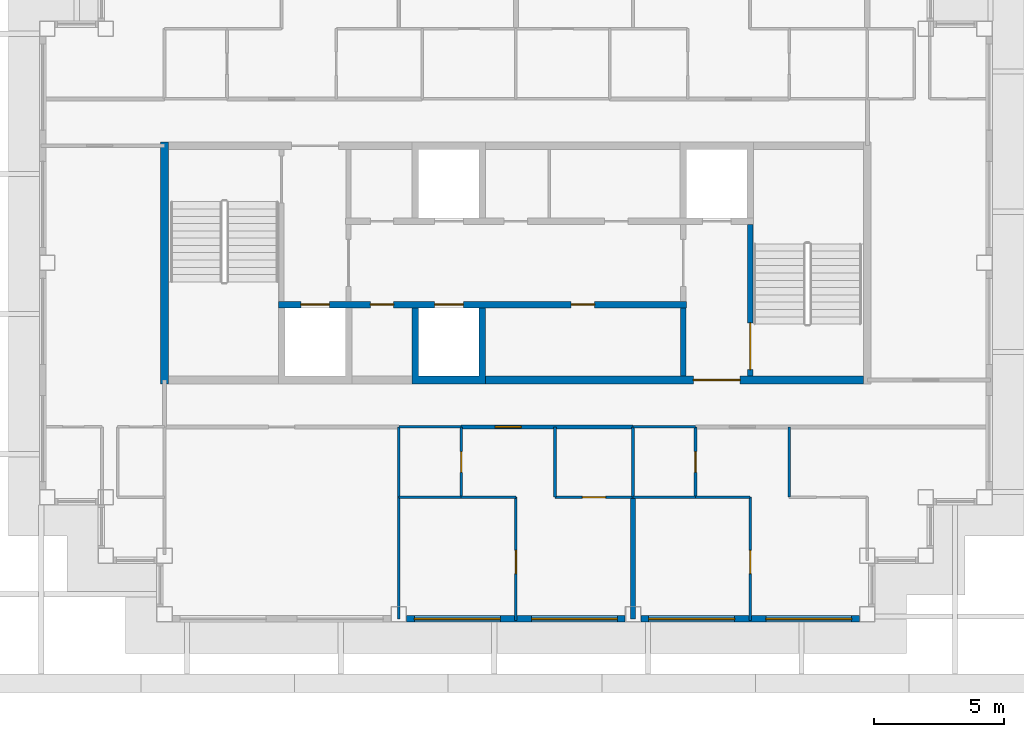
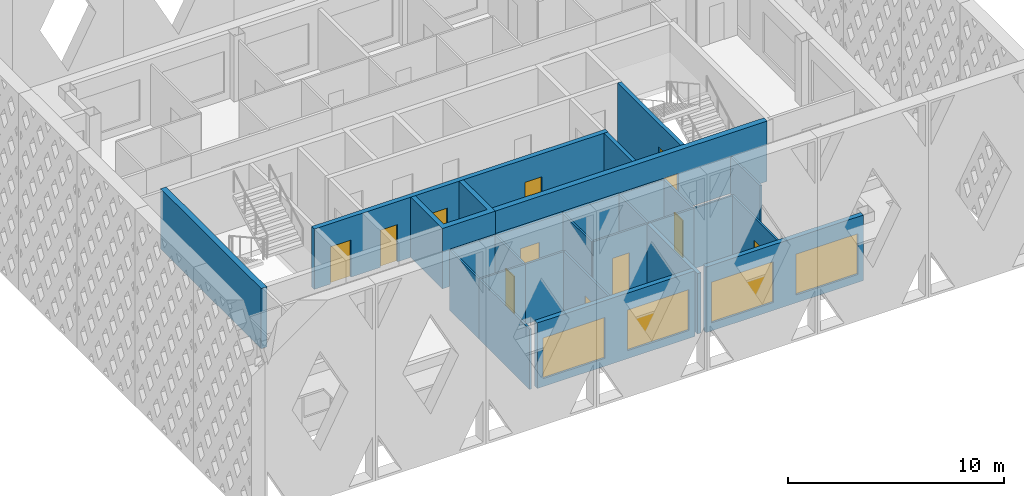
# One storey, part 2 of 13: 26 walls, 12 doors, 4 windows, 16 openings.
"""IFC4 building model written with IfcOpenShell, lengths in metres."""

from ifc_helpers import new_model, si_unit, direction, frame, frame_2d, origin, place, context, subcontext, project, spatial, polyline, rectangle, outline, extrude, material, layer, layer_set, type_object, element, fill, save


model = new_model("IFC4")

# Units and contexts
model_context = context("Model", 3, precision=1e-05, world=origin(), true_north=direction((0.0, 1.0)))
body_context = subcontext(model_context, "Body", "Model", "MODEL_VIEW")
ifc_project = project(units=[si_unit("LENGTHUNIT", "METRE"), si_unit("AREAUNIT", "SQUARE_METRE"), si_unit("VOLUMEUNIT", "CUBIC_METRE"), si_unit("PLANEANGLEUNIT", "RADIAN"), si_unit("MASSUNIT", "GRAM", prefix="KILO")], contexts=[model_context])

# Site, building, storey
site_placement = place(None, origin())
site = spatial("IfcSite", under=ifc_project, at=site_placement, CompositionType="ELEMENT")
building_placement = place(site_placement, origin())
building = spatial("IfcBuilding", under=site, at=building_placement, Name="Caravel Reach Hotel and Residences", CompositionType="ELEMENT")
storey_placement = place(building_placement, frame((0.0, 0.0, 283.39990234375)))
storey = spatial("IfcBuildingStorey", under=building, at=storey_placement, Name="L72", CompositionType="ELEMENT", Elevation=283.39990234375)

# Walls
ifc_material_1 = material(Name="Gypsum board on steel stud", Category="steel")
ifc_layer_1 = layer(ifc_material_1, 0.10009765625)
ifc_layer_set_1 = layer_set([ifc_layer_1], Name="Bathroom pod wall 100 mm")
wall_type_1 = type_object("IfcWallType", Name="Bathroom pod wall 100 mm", PredefinedType="PARTITIONING", material=ifc_layer_set_1)
for number, where, z_axis, x_axis, name in (
    (1, (27.0, 18.0, 0.0), (0.0, 0.0, 1.0), (1.0, 0.0, 0.0), "L72 wall w048"),
    (2, (36.0, 18.0, 0.0), (0.0, 0.0, 1.0), (1.0, 0.0, 0.0), "L72 wall w049"),
    (3, (27.0, 20.699951171875, 0.0), (0.0, 0.0, 1.0), (1.0, 0.0, 0.0), "L72 wall w050"),
    (4, (36.0, 20.699951171875, 0.0), (0.0, 0.0, 1.0), (1.0, 0.0, 0.0), "L72 wall w051"),
):
    element("IfcWall", number, at=place(storey_placement, frame(where, z_axis=z_axis, x_axis=x_axis)), inside=storey, type_object=wall_type_1, Name=name, PredefinedType="PARTITIONING", context=body_context, shape_type="SweptSolid", body=[
        extrude(rectangle(XDim=2.39990234375, YDim=0.10009765625, at=frame_2d((1.199951171875, 0.0))), origin(), (0.0, 0.0, 1.0), 3.400146484375),
    ])
wall_1_placement = place(storey_placement, frame((27.0, 18.0, 0.0), z_axis=(0.0, 0.0, 1.0), x_axis=(0.0, 1.0, 0.0)))
element("IfcWall", 5, at=wall_1_placement, inside=storey, type_object=wall_type_1, Name="L72 wall w065", PredefinedType="PARTITIONING", context=body_context, shape_type="SweptSolid", body=[
    extrude(rectangle(XDim=2.699951171875, YDim=0.10009765625, at=frame_2d((1.35009765625, 0.0))), origin(), (0.0, 0.0, 1.0), 3.400146484375),
])

# Wall, opening, door
wall_2_placement = place(storey_placement, frame((29.39990234375, 18.0, 0.0), z_axis=(0.0, 0.0, 1.0), x_axis=(0.0, 1.0, 0.0)))
wall_2 = element("IfcWall", 6, at=wall_2_placement, inside=storey, type_object=wall_type_1, Name="L72 wall w067", PredefinedType="PARTITIONING", context=body_context, shape_type="SweptSolid", body=[
    extrude(rectangle(XDim=2.699951171875, YDim=0.10009765625, at=frame_2d((1.35009765625, 0.0))), origin(), (0.0, 0.0, 1.0), 3.400146484375),
])
opening_1_placement = place(wall_2_placement, frame((0.949951171875, 0.0, 0.0)))
opening_1 = element("IfcOpeningElement", 7, at=opening_1_placement, cuts=wall_2, Name="Opening D72-030", PredefinedType="OPENING", context=body_context, shape_type="SweptSolid", body=[
    extrude(rectangle(XDim=0.800048828125, YDim=2.10009765625, at=frame_2d((0.39990234375, 1.050048828125))), frame((0.0, 0.06005859375, 0.0), z_axis=(0.0, -1.0, 0.0), x_axis=(1.0, 0.0, 0.0)), (0.0, 0.0, 1.0), 0.1201171875),
])
ifc_material_2 = material(Name="Timber and steel door leaf", Category="steel")
door_type_1 = type_object("IfcDoorType", Name="Bathroom door 800 x 2100", OperationType="SINGLE_SWING_LEFT", PredefinedType="DOOR", material=ifc_material_2)
door_1_placement = place(opening_1_placement, origin())
door_1 = element("IfcDoor", 8, at=door_1_placement, inside=storey, type_object=door_type_1, Name="door D72-030", OperationType="SINGLE_SWING_RIGHT", OverallHeight=2.10009765625, OverallWidth=0.800048828125, PredefinedType="DOOR", context=body_context, shape_type="SweptSolid", body=[
    extrude(rectangle(XDim=0.800048828125, YDim=2.10009765625, at=frame_2d((0.39990234375, 1.050048828125))), frame((0.0, 0.02490234375, 0.0), z_axis=(0.0, -1.0, 0.0), x_axis=(1.0, 0.0, 0.0)), (0.0, 0.0, 1.0), 0.050048828125),
])
fill(opening_1, door_1)

# Wall
wall_3_placement = place(storey_placement, frame((36.0, 18.0, 0.0), z_axis=(0.0, 0.0, 1.0), x_axis=(0.0, 1.0, 0.0)))
element("IfcWall", 9, at=wall_3_placement, inside=storey, type_object=wall_type_1, Name="L72 wall w070", PredefinedType="PARTITIONING", context=body_context, shape_type="SweptSolid", body=[
    extrude(rectangle(XDim=2.699951171875, YDim=0.10009765625, at=frame_2d((1.35009765625, 0.0))), origin(), (0.0, 0.0, 1.0), 3.400146484375),
])

# Wall, opening, door
wall_4_placement = place(storey_placement, frame((38.39990234375, 18.0, 0.0), z_axis=(0.0, 0.0, 1.0), x_axis=(0.0, 1.0, 0.0)))
wall_4 = element("IfcWall", 10, at=wall_4_placement, inside=storey, type_object=wall_type_1, Name="L72 wall w071", PredefinedType="PARTITIONING", context=body_context, shape_type="SweptSolid", body=[
    extrude(rectangle(XDim=2.699951171875, YDim=0.10009765625, at=frame_2d((1.35009765625, 0.0))), origin(), (0.0, 0.0, 1.0), 3.400146484375),
])
opening_2_placement = place(wall_4_placement, frame((0.949951171875, 0.0, 0.0)))
opening_2 = element("IfcOpeningElement", 11, at=opening_2_placement, cuts=wall_4, Name="Opening D72-034", PredefinedType="OPENING", context=body_context, shape_type="SweptSolid", body=[
    extrude(rectangle(XDim=0.800048828125, YDim=2.10009765625, at=frame_2d((0.39990234375, 1.050048828125))), frame((0.0, 0.06005859375, 0.0), z_axis=(0.0, -1.0, 0.0), x_axis=(1.0, 0.0, 0.0)), (0.0, 0.0, 1.0), 0.1201171875),
])
door_2_placement = place(opening_2_placement, origin())
door_2 = element("IfcDoor", 12, at=door_2_placement, inside=storey, type_object=door_type_1, Name="door D72-034", OperationType="SINGLE_SWING_LEFT", OverallHeight=2.10009765625, OverallWidth=0.800048828125, PredefinedType="DOOR", context=body_context, shape_type="SweptSolid", body=[
    extrude(rectangle(XDim=0.800048828125, YDim=2.10009765625, at=frame_2d((0.39990234375, 1.050048828125))), frame((0.0, 0.02490234375, 0.0), z_axis=(0.0, -1.0, 0.0), x_axis=(1.0, 0.0, 0.0)), (0.0, 0.0, 1.0), 0.050048828125),
])
fill(opening_2, door_2)

# Wall
ifc_material_3 = material(Name="Autoclaved aerated block wall")
ifc_layer_2 = layer(ifc_material_3, 0.199951171875)
ifc_layer_set_2 = layer_set([ifc_layer_2], Name="Compartment wall 200 mm EI 120")
wall_type_2 = type_object("IfcWallType", Name="Compartment wall 200 mm EI 120", PredefinedType="PARTITIONING", material=ifc_layer_set_2)
wall_5_placement = place(storey_placement, frame((37.928466796875, 22.64990234375, 0.0), z_axis=(0.0, 0.0, 1.0), x_axis=(0.0, 1.0, 0.0)))
element("IfcWall", 13, at=wall_5_placement, inside=storey, type_object=wall_type_2, Name="L72 store partition", PredefinedType="PARTITIONING", context=body_context, shape_type="SweptSolid", body=[
    extrude(rectangle(XDim=2.625, YDim=0.199951171875, at=frame_2d((1.3125, 0.0))), origin(), (0.0, 0.0, 1.0), 3.400146484375),
])

# Wall, opening, door
ifc_material_4 = material(Name="Concrete C60", Category="concrete")
ifc_layer_3 = layer(ifc_material_4, 0.300048828125)
ifc_layer_set_3 = layer_set([ifc_layer_3], Name="Core wall 300 mm EI 120")
wall_type_3 = type_object("IfcWallType", Name="Core wall 300 mm EI 120", PredefinedType="SHEAR", material=ifc_layer_set_3)
wall_6_placement = place(storey_placement, frame((30.33935546875, 22.5, 0.0), z_axis=(0.0, 0.0, 1.0), x_axis=(1.0, 0.0, 0.0)))
wall_6 = element("IfcWall", 14, at=wall_6_placement, inside=storey, type_object=wall_type_3, Name="L72 core wall S3", PredefinedType="SHEAR", context=body_context, shape_type="SweptSolid", body=[
    extrude(rectangle(XDim=14.5107421875, YDim=0.300048828125, at=frame_2d((7.25537109375, 0.0))), origin(), (0.0, 0.0, 1.0), 3.400146484375),
])
opening_3_placement = place(wall_6_placement, frame((7.97509765625, 0.0, 0.0)))
opening_3 = element("IfcOpeningElement", 15, at=opening_3_placement, cuts=wall_6, Name="Opening D72-015", PredefinedType="OPENING", context=body_context, shape_type="SweptSolid", body=[
    extrude(rectangle(XDim=1.800048828125, YDim=2.10009765625, at=frame_2d((0.89990234375, 1.050048828125))), frame((0.0, 0.159912109375, 0.0), z_axis=(0.0, -1.0, 0.0), x_axis=(1.0, 0.0, 0.0)), (0.0, 0.0, 1.0), 0.320068359375),
])
ifc_material_5 = material(Name="Steel fire door leaf", Category="steel")
door_type_2 = type_object("IfcDoorType", Name="Fire lobby door pair 1800 x 2100 EI 90", OperationType="DOUBLE_DOOR_SINGLE_SWING", PredefinedType="DOOR", material=ifc_material_5)
door_3_placement = place(opening_3_placement, origin())
door_3 = element("IfcDoor", 16, at=door_3_placement, inside=storey, type_object=door_type_2, Name="lobby S door pair to corridor", OperationType="DOUBLE_DOOR_SINGLE_SWING", OverallHeight=2.10009765625, OverallWidth=1.800048828125, PredefinedType="DOOR", context=body_context, shape_type="SweptSolid", body=[
    extrude(rectangle(XDim=1.800048828125, YDim=2.10009765625, at=frame_2d((0.89990234375, 1.050048828125))), frame((0.0, 0.02490234375, 0.0), z_axis=(0.0, -1.0, 0.0), x_axis=(1.0, 0.0, 0.0)), (0.0, 0.0, 1.0), 0.050048828125),
])
fill(opening_3, door_3)

# Wall
wall_7_placement = place(storey_placement, frame((18.0, 22.35009765625, 0.0), z_axis=(0.0, 0.0, 1.0), x_axis=(0.0, 1.0, 0.0)))
element("IfcWall", 17, at=wall_7_placement, inside=storey, type_object=wall_type_3, Name="L72 core wall W", PredefinedType="SHEAR", context=body_context, shape_type="SweptSolid", body=[
    extrude(rectangle(XDim=9.2998046875, YDim=0.300048828125, at=frame_2d((4.64990234375, 0.0))), origin(), (0.0, 0.0, 1.0), 3.400146484375),
])

# Wall, opening, door
ifc_material_6 = material(Name="Gypsum board on steel stud, fire-rated", Category="steel")
ifc_layer_4 = layer(ifc_material_6, 0.14990234375)
ifc_layer_set_4 = layer_set([ifc_layer_4], Name="Corridor wall 150 mm EI 60")
wall_type_4 = type_object("IfcWallType", Name="Corridor wall 150 mm EI 60", PredefinedType="PARTITIONING", material=ifc_layer_set_4)
wall_8_placement = place(storey_placement, frame((29.39990234375, 20.699951171875, 0.0), z_axis=(0.0, 0.0, 1.0), x_axis=(1.0, 0.0, 0.0)))
wall_8 = element("IfcWall", 18, at=wall_8_placement, inside=storey, type_object=wall_type_4, Name="L72 wall w002", PredefinedType="PARTITIONING", context=body_context, shape_type="SweptSolid", body=[
    extrude(rectangle(XDim=6.60009765625, YDim=0.14990234375, at=frame_2d((3.300048828125, 0.0))), origin(), (0.0, 0.0, 1.0), 3.400146484375),
])
opening_4_placement = place(wall_8_placement, frame((1.300048828125, 0.0, 0.0)))
opening_4 = element("IfcOpeningElement", 19, at=opening_4_placement, cuts=wall_8, Name="Opening D72-029", PredefinedType="OPENING", context=body_context, shape_type="SweptSolid", body=[
    extrude(rectangle(XDim=1.0, YDim=2.199951171875, at=frame_2d((0.5, 1.10009765625))), frame((0.0, 0.0849609375, 0.0), z_axis=(0.0, -1.0, 0.0), x_axis=(1.0, 0.0, 0.0)), (0.0, 0.0, 1.0), 0.169921875),
])
ifc_material_7 = material(Name="Steel fire door leaf", Category="steel")
door_type_3 = type_object("IfcDoorType", Name="Flat entrance door 1000 x 2200 EI 60", OperationType="SINGLE_SWING_LEFT", PredefinedType="DOOR", material=ifc_material_7)
door_4_placement = place(opening_4_placement, origin())
door_4 = element("IfcDoor", 20, at=door_4_placement, inside=storey, type_object=door_type_3, Name="door D72-029", OperationType="SINGLE_SWING_LEFT", OverallHeight=2.199951171875, OverallWidth=1.0, PredefinedType="DOOR", context=body_context, shape_type="SweptSolid", body=[
    extrude(rectangle(XDim=1.0, YDim=2.199951171875, at=frame_2d((0.5, 1.10009765625))), frame((0.0, 0.02490234375, 0.0), z_axis=(0.0, -1.0, 0.0), x_axis=(1.0, 0.0, 0.0)), (0.0, 0.0, 1.0), 0.050048828125),
])
fill(opening_4, door_4)

# Wall, openings, windows
ifc_material_8 = material(Name="Insulated rainscreen wall, aluminium cladding", Category="aluminium")
ifc_layer_5 = layer(ifc_material_8, 0.25)
ifc_layer_set_5 = layer_set([ifc_layer_5], Name="EW1 Tower rainscreen wall")
wall_type_5 = type_object("IfcWallType", Name="EW1 Tower rainscreen wall", PredefinedType="SOLIDWALL", material=ifc_layer_set_5)
wall_9_placement = place(storey_placement, frame((27.300048828125, 13.324951171875, 0.0), z_axis=(0.0, 0.0, 1.0), x_axis=(1.0, 0.0, 0.0)))
wall_9 = element("IfcWall", 21, at=wall_9_placement, inside=storey, type_object=wall_type_5, Name="External wall L72 S20.2", PredefinedType="SOLIDWALL", context=body_context, shape_type="SweptSolid", body=[
    extrude(rectangle(XDim=8.39990234375, YDim=0.25, at=frame_2d((4.199951171875, 0.0))), origin(), (0.0, 0.0, 1.0), 3.7001953125),
])
opening_5_placement = place(wall_9_placement, frame((0.300048828125, 0.0, 0.449951171875)))
opening_5 = element("IfcOpeningElement", 22, at=opening_5_placement, cuts=wall_9, Name="Opening WN15", PredefinedType="OPENING", context=body_context, shape_type="SweptSolid", body=[
    extrude(rectangle(XDim=3.300048828125, YDim=2.300048828125, at=frame_2d((1.64990234375, 1.14990234375))), frame((0.0, 0.135009765625, 0.0), z_axis=(0.0, -1.0, 0.0), x_axis=(1.0, 0.0, 0.0)), (0.0, 0.0, 1.0), 0.27001953125),
])
opening_6_placement = place(wall_9_placement, frame((4.800048828125, 0.0, 0.449951171875)))
opening_6 = element("IfcOpeningElement", 23, at=opening_6_placement, cuts=wall_9, Name="Opening WN15", PredefinedType="OPENING", context=body_context, shape_type="SweptSolid", body=[
    extrude(rectangle(XDim=3.300048828125, YDim=2.300048828125, at=frame_2d((1.64990234375, 1.14990234375))), frame((0.0, 0.135009765625, 0.0), z_axis=(0.0, -1.0, 0.0), x_axis=(1.0, 0.0, 0.0)), (0.0, 0.0, 1.0), 0.27001953125),
])
ifc_material_9 = material(Name="Dark low-e glazing in black aluminium frame", Category="aluminium")
window_type = type_object("IfcWindowType", Name="Residence living window 3300 x 2300", PartitioningType="SINGLE_PANEL", PredefinedType="WINDOW", material=ifc_material_9)
window_1_placement = place(opening_5_placement, origin())
window_1 = element("IfcWindow", 24, at=window_1_placement, inside=storey, type_object=window_type, Name="Window L72 S20.2.1", OverallHeight=2.300048828125, OverallWidth=3.300048828125, PartitioningType="SINGLE_PANEL", PredefinedType="WINDOW", context=body_context, shape_type="SweptSolid", body=[
    extrude(rectangle(XDim=3.300048828125, YDim=2.300048828125, at=frame_2d((1.64990234375, 1.14990234375))), frame((0.0, 0.030029296875, 0.0), z_axis=(0.0, -1.0, 0.0), x_axis=(1.0, 0.0, 0.0)), (0.0, 0.0, 1.0), 0.06005859375),
])
fill(opening_5, window_1)
window_2_placement = place(opening_6_placement, origin())
window_2 = element("IfcWindow", 25, at=window_2_placement, inside=storey, type_object=window_type, Name="Window L72 S20.2.2", OverallHeight=2.300048828125, OverallWidth=3.300048828125, PartitioningType="SINGLE_PANEL", PredefinedType="WINDOW", context=body_context, shape_type="SweptSolid", body=[
    extrude(rectangle(XDim=3.300048828125, YDim=2.300048828125, at=frame_2d((1.64990234375, 1.14990234375))), frame((0.0, 0.030029296875, 0.0), z_axis=(0.0, -1.0, 0.0), x_axis=(1.0, 0.0, 0.0)), (0.0, 0.0, 1.0), 0.06005859375),
])
fill(opening_6, window_2)

wall_10_placement = place(storey_placement, frame((36.300048828125, 13.324951171875, 0.0), z_axis=(0.0, 0.0, 1.0), x_axis=(1.0, 0.0, 0.0)))
wall_10 = element("IfcWall", 26, at=wall_10_placement, inside=storey, type_object=wall_type_5, Name="External wall L72 S20.3", PredefinedType="SOLIDWALL", context=body_context, shape_type="SweptSolid", body=[
    extrude(rectangle(XDim=8.39990234375, YDim=0.25, at=frame_2d((4.199951171875, 0.0))), origin(), (0.0, 0.0, 1.0), 3.7001953125),
])
opening_7_placement = place(wall_10_placement, frame((0.300048828125, 0.0, 0.449951171875)))
opening_7 = element("IfcOpeningElement", 27, at=opening_7_placement, cuts=wall_10, Name="Opening WN15", PredefinedType="OPENING", context=body_context, shape_type="SweptSolid", body=[
    extrude(rectangle(XDim=3.300048828125, YDim=2.300048828125, at=frame_2d((1.64990234375, 1.14990234375))), frame((0.0, 0.135009765625, 0.0), z_axis=(0.0, -1.0, 0.0), x_axis=(1.0, 0.0, 0.0)), (0.0, 0.0, 1.0), 0.27001953125),
])
opening_8_placement = place(wall_10_placement, frame((4.800048828125, 0.0, 0.449951171875)))
opening_8 = element("IfcOpeningElement", 28, at=opening_8_placement, cuts=wall_10, Name="Opening WN15", PredefinedType="OPENING", context=body_context, shape_type="SweptSolid", body=[
    extrude(rectangle(XDim=3.300048828125, YDim=2.300048828125, at=frame_2d((1.64990234375, 1.14990234375))), frame((0.0, 0.135009765625, 0.0), z_axis=(0.0, -1.0, 0.0), x_axis=(1.0, 0.0, 0.0)), (0.0, 0.0, 1.0), 0.27001953125),
])
window_3_placement = place(opening_7_placement, origin())
window_3 = element("IfcWindow", 29, at=window_3_placement, inside=storey, type_object=window_type, Name="Window L72 S20.3.1", OverallHeight=2.300048828125, OverallWidth=3.300048828125, PartitioningType="SINGLE_PANEL", PredefinedType="WINDOW", context=body_context, shape_type="SweptSolid", body=[
    extrude(rectangle(XDim=3.300048828125, YDim=2.300048828125, at=frame_2d((1.64990234375, 1.14990234375))), frame((0.0, 0.030029296875, 0.0), z_axis=(0.0, -1.0, 0.0), x_axis=(1.0, 0.0, 0.0)), (0.0, 0.0, 1.0), 0.06005859375),
])
fill(opening_7, window_3)
window_4_placement = place(opening_8_placement, origin())
window_4 = element("IfcWindow", 30, at=window_4_placement, inside=storey, type_object=window_type, Name="Window L72 S20.3.2", OverallHeight=2.300048828125, OverallWidth=3.300048828125, PartitioningType="SINGLE_PANEL", PredefinedType="WINDOW", context=body_context, shape_type="SweptSolid", body=[
    extrude(rectangle(XDim=3.300048828125, YDim=2.300048828125, at=frame_2d((1.64990234375, 1.14990234375))), frame((0.0, 0.030029296875, 0.0), z_axis=(0.0, -1.0, 0.0), x_axis=(1.0, 0.0, 0.0)), (0.0, 0.0, 1.0), 0.06005859375),
])
fill(opening_8, window_4)

# Wall
ifc_material_10 = material(Name="Gypsum board on steel stud", Category="steel")
ifc_layer_6 = layer(ifc_material_10, 0.10009765625)
ifc_layer_set_6 = layer_set([ifc_layer_6], Name="Partition 100 mm")
wall_type_6 = type_object("IfcWallType", Name="Partition 100 mm", PredefinedType="PARTITIONING", material=ifc_layer_set_6)
wall_11_placement = place(storey_placement, frame((29.39990234375, 18.0, 0.0), z_axis=(0.0, 0.0, 1.0), x_axis=(1.0, 0.0, 0.0)))
element("IfcWall", 31, at=wall_11_placement, inside=storey, type_object=wall_type_6, Name="L72 wall w016", PredefinedType="PARTITIONING", context=body_context, shape_type="SweptSolid", body=[
    extrude(rectangle(XDim=2.10009765625, YDim=0.10009765625, at=frame_2d((1.050048828125, 0.0))), origin(), (0.0, 0.0, 1.0), 3.400146484375),
])

# Wall, opening, door
wall_12_placement = place(storey_placement, frame((33.0, 18.0, 0.0), z_axis=(0.0, 0.0, 1.0), x_axis=(1.0, 0.0, 0.0)))
wall_12 = element("IfcWall", 32, at=wall_12_placement, inside=storey, type_object=wall_type_6, Name="L72 wall w017", PredefinedType="PARTITIONING", context=body_context, shape_type="SweptSolid", body=[
    extrude(rectangle(XDim=3.0, YDim=0.10009765625, at=frame_2d((1.5, 0.0))), origin(), (0.0, 0.0, 1.0), 3.400146484375),
])
opening_9_placement = place(wall_12_placement, frame((1.050048828125, 0.0, 0.0)))
opening_9 = element("IfcOpeningElement", 33, at=opening_9_placement, cuts=wall_12, Name="Opening D72-031", PredefinedType="OPENING", context=body_context, shape_type="SweptSolid", body=[
    extrude(rectangle(XDim=0.89990234375, YDim=2.10009765625, at=frame_2d((0.449951171875, 1.050048828125))), frame((0.0, 0.06005859375, 0.0), z_axis=(0.0, -1.0, 0.0), x_axis=(1.0, 0.0, 0.0)), (0.0, 0.0, 1.0), 0.1201171875),
])
ifc_material_11 = material(Name="Timber and steel door leaf", Category="steel")
door_type_4 = type_object("IfcDoorType", Name="Door 900 x 2100 timber", OperationType="SINGLE_SWING_LEFT", PredefinedType="DOOR", material=ifc_material_11)
door_5_placement = place(opening_9_placement, origin())
door_5 = element("IfcDoor", 34, at=door_5_placement, inside=storey, type_object=door_type_4, Name="door D72-031", OperationType="SINGLE_SWING_RIGHT", OverallHeight=2.10009765625, OverallWidth=0.89990234375, PredefinedType="DOOR", context=body_context, shape_type="SweptSolid", body=[
    extrude(rectangle(XDim=0.89990234375, YDim=2.10009765625, at=frame_2d((0.449951171875, 1.050048828125))), frame((0.0, 0.02490234375, 0.0), z_axis=(0.0, -1.0, 0.0), x_axis=(1.0, 0.0, 0.0)), (0.0, 0.0, 1.0), 0.050048828125),
])
fill(opening_9, door_5)

# Walls
wall_13_placement = place(storey_placement, frame((38.39990234375, 18.0, 0.0), z_axis=(0.0, 0.0, 1.0), x_axis=(1.0, 0.0, 0.0)))
element("IfcWall", 35, at=wall_13_placement, inside=storey, type_object=wall_type_6, Name="L72 wall w018", PredefinedType="PARTITIONING", context=body_context, shape_type="SweptSolid", body=[
    extrude(rectangle(XDim=2.10009765625, YDim=0.10009765625, at=frame_2d((1.050048828125, 0.0))), origin(), (0.0, 0.0, 1.0), 3.400146484375),
])
wall_14_placement = place(storey_placement, frame((27.0, 13.31005859375, 0.0), z_axis=(0.0, 0.0, 1.0), x_axis=(0.0, 1.0, 0.0)))
element("IfcWall", 36, at=wall_14_placement, inside=storey, type_object=wall_type_6, Name="L72 wall w035", PredefinedType="PARTITIONING", context=body_context, shape_type="SweptSolid", body=[
    extrude(rectangle(XDim=4.68994140625, YDim=0.10009765625, at=frame_2d((2.344970703125, 0.0))), origin(), (0.0, 0.0, 1.0), 3.400146484375),
])

# Wall, opening, door
wall_15_placement = place(storey_placement, frame((31.5, 13.260009765625, 0.0), z_axis=(0.0, 0.0, 1.0), x_axis=(0.0, 1.0, 0.0)))
wall_15 = element("IfcWall", 37, at=wall_15_placement, inside=storey, type_object=wall_type_6, Name="L72 wall w036", PredefinedType="PARTITIONING", context=body_context, shape_type="SweptSolid", body=[
    extrude(rectangle(XDim=4.739990234375, YDim=0.10009765625, at=frame_2d((2.3701171875, 0.0))), origin(), (0.0, 0.0, 1.0), 3.400146484375),
])
opening_10_placement = place(wall_15_placement, frame((1.800048828125, 0.0, 0.0)))
opening_10 = element("IfcOpeningElement", 38, at=opening_10_placement, cuts=wall_15, Name="Opening D72-032", PredefinedType="OPENING", context=body_context, shape_type="SweptSolid", body=[
    extrude(rectangle(XDim=0.89990234375, YDim=2.10009765625, at=frame_2d((0.449951171875, 1.050048828125))), frame((0.0, 0.06005859375, 0.0), z_axis=(0.0, -1.0, 0.0), x_axis=(1.0, 0.0, 0.0)), (0.0, 0.0, 1.0), 0.1201171875),
])
door_6_placement = place(opening_10_placement, origin())
door_6 = element("IfcDoor", 39, at=door_6_placement, inside=storey, type_object=door_type_4, Name="door D72-032", OperationType="SINGLE_SWING_RIGHT", OverallHeight=2.10009765625, OverallWidth=0.89990234375, PredefinedType="DOOR", context=body_context, shape_type="SweptSolid", body=[
    extrude(rectangle(XDim=0.89990234375, YDim=2.10009765625, at=frame_2d((0.449951171875, 1.050048828125))), frame((0.0, 0.02490234375, 0.0), z_axis=(0.0, -1.0, 0.0), x_axis=(1.0, 0.0, 0.0)), (0.0, 0.0, 1.0), 0.050048828125),
])
fill(opening_10, door_6)

# Wall
wall_16_placement = place(storey_placement, frame((33.0, 18.0, 0.0), z_axis=(0.0, 0.0, 1.0), x_axis=(0.0, 1.0, 0.0)))
element("IfcWall", 40, at=wall_16_placement, inside=storey, type_object=wall_type_6, Name="L72 wall w037", PredefinedType="PARTITIONING", context=body_context, shape_type="SweptSolid", body=[
    extrude(rectangle(XDim=2.699951171875, YDim=0.10009765625, at=frame_2d((1.35009765625, 0.0))), origin(), (0.0, 0.0, 1.0), 3.400146484375),
])

# Wall, opening, door
wall_17_placement = place(storey_placement, frame((40.5, 13.260009765625, 0.0), z_axis=(0.0, 0.0, 1.0), x_axis=(0.0, 1.0, 0.0)))
wall_17 = element("IfcWall", 41, at=wall_17_placement, inside=storey, type_object=wall_type_6, Name="L72 wall w041", PredefinedType="PARTITIONING", context=body_context, shape_type="SweptSolid", body=[
    extrude(rectangle(XDim=4.739990234375, YDim=0.10009765625, at=frame_2d((2.3701171875, 0.0))), origin(), (0.0, 0.0, 1.0), 3.400146484375),
])
opening_11_placement = place(wall_17_placement, frame((1.800048828125, 0.0, 0.0)))
opening_11 = element("IfcOpeningElement", 42, at=opening_11_placement, cuts=wall_17, Name="Opening D72-036", PredefinedType="OPENING", context=body_context, shape_type="SweptSolid", body=[
    extrude(rectangle(XDim=0.89990234375, YDim=2.10009765625, at=frame_2d((0.449951171875, 1.050048828125))), frame((0.0, 0.06005859375, 0.0), z_axis=(0.0, -1.0, 0.0), x_axis=(1.0, 0.0, 0.0)), (0.0, 0.0, 1.0), 0.1201171875),
])
door_7_placement = place(opening_11_placement, origin())
door_7 = element("IfcDoor", 43, at=door_7_placement, inside=storey, type_object=door_type_4, Name="door D72-036", OperationType="SINGLE_SWING_RIGHT", OverallHeight=2.10009765625, OverallWidth=0.89990234375, PredefinedType="DOOR", context=body_context, shape_type="SweptSolid", body=[
    extrude(rectangle(XDim=0.89990234375, YDim=2.10009765625, at=frame_2d((0.449951171875, 1.050048828125))), frame((0.0, 0.02490234375, 0.0), z_axis=(0.0, -1.0, 0.0), x_axis=(1.0, 0.0, 0.0)), (0.0, 0.0, 1.0), 0.050048828125),
])
fill(opening_11, door_7)

# Walls
wall_18_placement = place(storey_placement, frame((42.0, 18.0, 0.0), z_axis=(0.0, 0.0, 1.0), x_axis=(0.0, 1.0, 0.0)))
element("IfcWall", 44, at=wall_18_placement, inside=storey, type_object=wall_type_6, Name="L72 wall w042", PredefinedType="PARTITIONING", context=body_context, shape_type="SweptSolid", body=[
    extrude(rectangle(XDim=2.699951171875, YDim=0.10009765625, at=frame_2d((1.35009765625, 0.0))), origin(), (0.0, 0.0, 1.0), 3.400146484375),
])
ifc_material_12 = material(Name="Autoclaved aerated block wall")
ifc_layer_7 = layer(ifc_material_12, 0.199951171875)
ifc_layer_set_7 = layer_set([ifc_layer_7], Name="Party wall 200 mm EI 60")
wall_type_7 = type_object("IfcWallType", Name="Party wall 200 mm EI 60", PredefinedType="PARTITIONING", material=ifc_layer_set_7)
wall_19_placement = place(storey_placement, frame((36.0, 13.31005859375, 0.0), z_axis=(0.0, 0.0, 1.0), x_axis=(0.0, 1.0, 0.0)))
element("IfcWall", 45, at=wall_19_placement, inside=storey, type_object=wall_type_7, Name="L72 wall w046", PredefinedType="PARTITIONING", context=body_context, shape_type="SweptSolid", body=[
    extrude(rectangle(XDim=4.68994140625, YDim=0.199951171875, at=frame_2d((2.344970703125, 0.0))), origin(), (0.0, 0.0, 1.0), 3.400146484375),
])
ifc_material_13 = material(Name="Concrete C60", Category="concrete")
ifc_layer_8 = layer(ifc_material_13, 0.25)
ifc_layer_set_8 = layer_set([ifc_layer_8], Name="Shaft wall 250 mm EI 120")
wall_type_8 = type_object("IfcWallType", Name="Shaft wall 250 mm EI 120", PredefinedType="SHEAR", material=ifc_layer_set_8)
wall_20_placement = place(storey_placement, origin())
element("IfcWall", 46, at=wall_20_placement, inside=storey, type_object=wall_type_8, Name="L72 lift shaft wall S2", PredefinedType="SHEAR", context=body_context, shape_type="SweptSolid", body=[
    extrude(outline(polyline([(27.517822265625, 22.35009765625), (30.33935546875, 22.35009765625), (30.33935546875, 25.27490234375), (30.08935546875, 25.27490234375), (30.08935546875, 22.64990234375), (27.767822265625, 22.64990234375), (27.767822265625, 25.27490234375), (27.517822265625, 25.27490234375), (27.517822265625, 22.35009765625)])), origin(), (0.0, 0.0, 1.0), 3.400146484375),
])

# Wall, openings, doors
wall_21_placement = place(storey_placement, frame((22.375, 25.39990234375, 0.0), z_axis=(0.0, 0.0, 1.0), x_axis=(1.0, 0.0, 0.0)))
wall_21 = element("IfcWall", 47, at=wall_21_placement, inside=storey, type_object=wall_type_8, Name="L72 lobby wall S1", PredefinedType="SHEAR", context=body_context, shape_type="SweptSolid", body=[
    extrude(rectangle(XDim=15.678466796875, YDim=0.25, at=frame_2d((7.83935546875, 0.0))), origin(), (0.0, 0.0, 1.0), 3.400146484375),
])
opening_12_placement = place(wall_21_placement, frame((6.003662109375, 0.0, 0.0)))
opening_12 = element("IfcOpeningElement", 48, at=opening_12_placement, cuts=wall_21, Name="Opening D72-001", PredefinedType="OPENING", context=body_context, shape_type="SweptSolid", body=[
    extrude(rectangle(XDim=1.10009765625, YDim=2.10009765625, at=frame_2d((0.550048828125, 1.050048828125))), frame((0.0, 0.135009765625, 0.0), z_axis=(0.0, -1.0, 0.0), x_axis=(1.0, 0.0, 0.0)), (0.0, 0.0, 1.0), 0.27001953125),
])
opening_13_placement = place(wall_21_placement, frame((0.860595703125, 0.0, 0.0)))
opening_13 = element("IfcOpeningElement", 49, at=opening_13_placement, cuts=wall_21, Name="Opening D72-003", PredefinedType="OPENING", context=body_context, shape_type="SweptSolid", body=[
    extrude(rectangle(XDim=1.10009765625, YDim=2.10009765625, at=frame_2d((0.550048828125, 1.050048828125))), frame((0.0, 0.135009765625, 0.0), z_axis=(0.0, -1.0, 0.0), x_axis=(1.0, 0.0, 0.0)), (0.0, 0.0, 1.0), 0.27001953125),
])
opening_14_placement = place(wall_21_placement, frame((3.531982421875, 0.0, 0.0)))
opening_14 = element("IfcOpeningElement", 50, at=opening_14_placement, cuts=wall_21, Name="Opening D72-005", PredefinedType="OPENING", context=body_context, shape_type="SweptSolid", body=[
    extrude(rectangle(XDim=0.89990234375, YDim=2.10009765625, at=frame_2d((0.449951171875, 1.050048828125))), frame((0.0, 0.135009765625, 0.0), z_axis=(0.0, -1.0, 0.0), x_axis=(1.0, 0.0, 0.0)), (0.0, 0.0, 1.0), 0.27001953125),
])
opening_15_placement = place(wall_21_placement, frame((11.246337890625, 0.0, 0.0)))
opening_15 = element("IfcOpeningElement", 51, at=opening_15_placement, cuts=wall_21, Name="Opening D72-006", PredefinedType="OPENING", context=body_context, shape_type="SweptSolid", body=[
    extrude(rectangle(XDim=0.89990234375, YDim=2.10009765625, at=frame_2d((0.449951171875, 1.050048828125))), frame((0.0, 0.135009765625, 0.0), z_axis=(0.0, -1.0, 0.0), x_axis=(1.0, 0.0, 0.0)), (0.0, 0.0, 1.0), 0.27001953125),
])
ifc_material_14 = material(Name="Stainless steel landing door", Category="steel")
door_type_5 = type_object("IfcDoorType", Name="Landing door LD 1100 x 2100 sliding", OperationType="DOUBLE_DOOR_SLIDING", PredefinedType="DOOR", material=ifc_material_14)
door_8_placement = place(opening_12_placement, origin())
door_8 = element("IfcDoor", 52, at=door_8_placement, inside=storey, type_object=door_type_5, Name="HP1 landing door", OperationType="DOUBLE_DOOR_SLIDING", OverallHeight=2.10009765625, OverallWidth=1.10009765625, PredefinedType="DOOR", context=body_context, shape_type="SweptSolid", body=[
    extrude(rectangle(XDim=1.10009765625, YDim=2.10009765625, at=frame_2d((0.550048828125, 1.050048828125))), frame((0.0, 0.02490234375, 0.0), z_axis=(0.0, -1.0, 0.0), x_axis=(1.0, 0.0, 0.0)), (0.0, 0.0, 1.0), 0.050048828125),
])
fill(opening_12, door_8)
door_9_placement = place(opening_13_placement, origin())
door_9 = element("IfcDoor", 53, at=door_9_placement, inside=storey, type_object=door_type_5, Name="FL1 landing door", OperationType="DOUBLE_DOOR_SLIDING", OverallHeight=2.10009765625, OverallWidth=1.10009765625, PredefinedType="DOOR", context=body_context, shape_type="SweptSolid", body=[
    extrude(rectangle(XDim=1.10009765625, YDim=2.10009765625, at=frame_2d((0.550048828125, 1.050048828125))), frame((0.0, 0.02490234375, 0.0), z_axis=(0.0, -1.0, 0.0), x_axis=(1.0, 0.0, 0.0)), (0.0, 0.0, 1.0), 0.050048828125),
])
fill(opening_13, door_9)
ifc_material_15 = material(Name="Steel fire door leaf", Category="steel")
door_type_6 = type_object("IfcDoorType", Name="Riser door 900 x 2100 EI 60", OperationType="SINGLE_SWING_LEFT", PredefinedType="DOOR", material=ifc_material_15)
door_10_placement = place(opening_14_placement, origin())
door_10 = element("IfcDoor", 54, at=door_10_placement, inside=storey, type_object=door_type_6, Name="Recycling store door", OperationType="SINGLE_SWING_LEFT", OverallHeight=2.10009765625, OverallWidth=0.89990234375, PredefinedType="DOOR", context=body_context, shape_type="SweptSolid", body=[
    extrude(rectangle(XDim=0.89990234375, YDim=2.10009765625, at=frame_2d((0.449951171875, 1.050048828125))), frame((0.0, 0.02490234375, 0.0), z_axis=(0.0, -1.0, 0.0), x_axis=(1.0, 0.0, 0.0)), (0.0, 0.0, 1.0), 0.050048828125),
])
fill(opening_14, door_10)
door_11_placement = place(opening_15_placement, origin())
door_11 = element("IfcDoor", 55, at=door_11_placement, inside=storey, type_object=door_type_6, Name="Residents' store door", OperationType="SINGLE_SWING_LEFT", OverallHeight=2.10009765625, OverallWidth=0.89990234375, PredefinedType="DOOR", context=body_context, shape_type="SweptSolid", body=[
    extrude(rectangle(XDim=0.89990234375, YDim=2.10009765625, at=frame_2d((0.449951171875, 1.050048828125))), frame((0.0, 0.02490234375, 0.0), z_axis=(0.0, -1.0, 0.0), x_axis=(1.0, 0.0, 0.0)), (0.0, 0.0, 1.0), 0.050048828125),
])
fill(opening_15, door_11)

# Wall, opening, door
ifc_material_16 = material(Name="Concrete C60", Category="concrete")
ifc_layer_9 = layer(ifc_material_16, 0.199951171875)
ifc_layer_set_9 = layer_set([ifc_layer_9], Name="Stair enclosure wall 200 mm EI 120")
wall_type_9 = type_object("IfcWallType", Name="Stair enclosure wall 200 mm EI 120", PredefinedType="SHEAR", material=ifc_layer_set_9)
wall_22_placement = place(storey_placement, frame((40.5, 22.64990234375, 0.0), z_axis=(0.0, 0.0, 1.0), x_axis=(0.0, 1.0, 0.0)))
wall_22 = element("IfcWall", 56, at=wall_22_placement, inside=storey, type_object=wall_type_9, Name="L72 stair B wall", PredefinedType="SHEAR", context=body_context, shape_type="SweptSolid", body=[
    extrude(rectangle(XDim=5.8251953125, YDim=0.199951171875, at=frame_2d((2.91259765625, 0.0))), origin(), (0.0, 0.0, 1.0), 3.400146484375),
])
opening_16_placement = place(wall_22_placement, frame((0.25, 0.0, 0.0)))
opening_16 = element("IfcOpeningElement", 57, at=opening_16_placement, cuts=wall_22, Name="Opening D72-011", PredefinedType="OPENING", context=body_context, shape_type="SweptSolid", body=[
    extrude(rectangle(XDim=1.800048828125, YDim=2.10009765625, at=frame_2d((0.89990234375, 1.050048828125))), frame((0.0, 0.10986328125, 0.0), z_axis=(0.0, -1.0, 0.0), x_axis=(1.0, 0.0, 0.0)), (0.0, 0.0, 1.0), 0.219970703125),
])
ifc_material_17 = material(Name="Steel fire door leaf", Category="steel")
door_type_7 = type_object("IfcDoorType", Name="Stair door pair 1800 x 2100 EI 90", OperationType="DOUBLE_DOOR_SINGLE_SWING", PredefinedType="DOOR", material=ifc_material_17)
door_12_placement = place(opening_16_placement, origin())
door_12 = element("IfcDoor", 58, at=door_12_placement, inside=storey, type_object=door_type_7, Name="stair B door pair", OperationType="DOUBLE_DOOR_SINGLE_SWING", OverallHeight=2.10009765625, OverallWidth=1.800048828125, PredefinedType="DOOR", context=body_context, shape_type="SweptSolid", body=[
    extrude(rectangle(XDim=1.800048828125, YDim=2.10009765625, at=frame_2d((0.89990234375, 1.050048828125))), frame((0.0, 0.02490234375, 0.0), z_axis=(0.0, -1.0, 0.0), x_axis=(1.0, 0.0, 0.0)), (0.0, 0.0, 1.0), 0.050048828125),
])
fill(opening_16, door_12)

save(model, "model.ifc")
